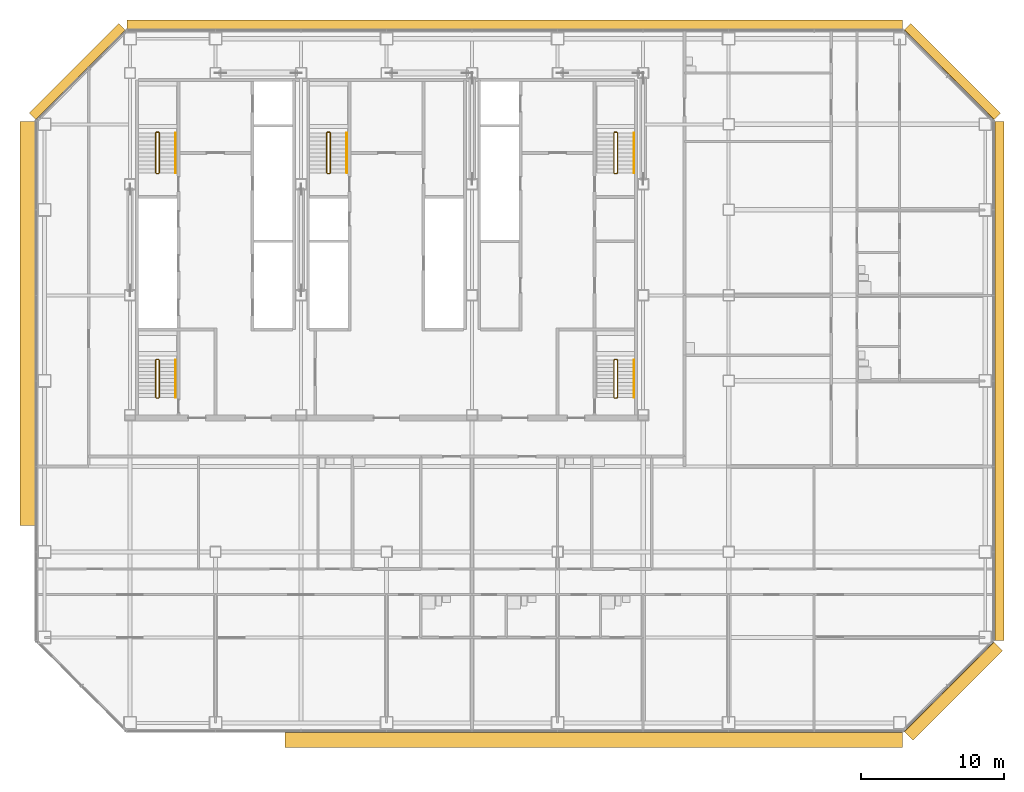
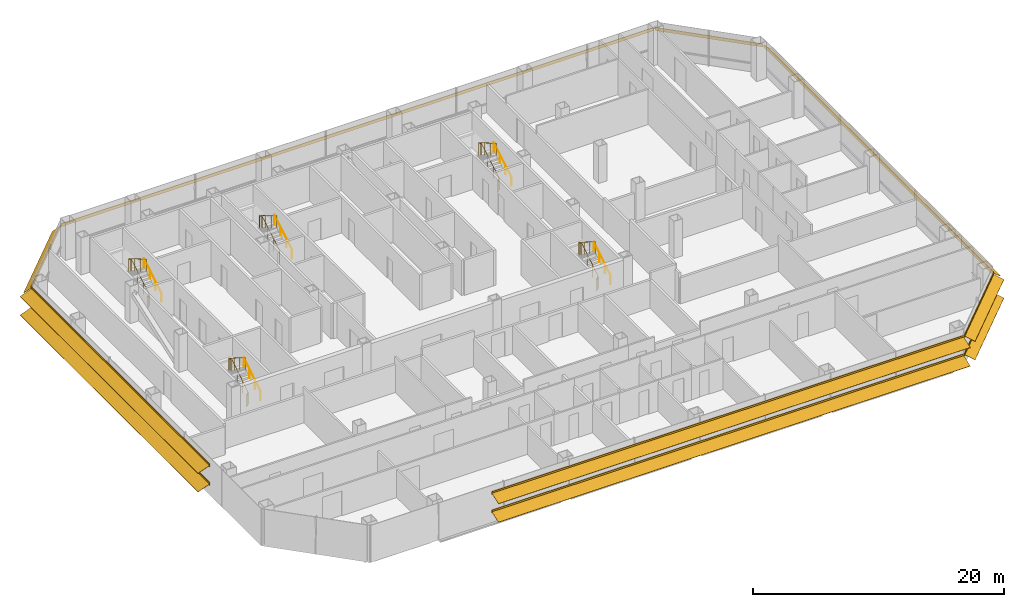
# One storey, part 25 of 26: 10 railings, 7 shading devices.
"""IFC4 building model written with IfcOpenShell, lengths in metres."""

from ifc_helpers import new_model, si_unit, direction, frame, origin, origin_2d, place, context, subcontext, project, spatial, polyline, circle, outline, composite_profile, extrude, material, type_object, element, save


model = new_model("IFC4")

# Units and contexts
model_context = context("Model", 3, precision=1e-05, world=origin(), true_north=direction((0.0, 1.0)))
body_context = subcontext(model_context, "Body", "Model", "MODEL_VIEW")
ifc_project = project(units=[si_unit("LENGTHUNIT", "METRE"), si_unit("AREAUNIT", "SQUARE_METRE"), si_unit("VOLUMEUNIT", "CUBIC_METRE"), si_unit("PLANEANGLEUNIT", "RADIAN"), si_unit("MASSUNIT", "GRAM", prefix="KILO")], contexts=[model_context])

# Site, building, storey
site_placement = place(None, origin())
site = spatial("IfcSite", under=ifc_project, at=site_placement, CompositionType="ELEMENT")
building_placement = place(site_placement, origin())
building = spatial("IfcBuilding", under=site, at=building_placement, Name="Sorahane Residences", CompositionType="ELEMENT")
storey_placement = place(building_placement, frame((0.0, 0.0, 64.199951171875)))
storey = spatial("IfcBuildingStorey", under=building, at=storey_placement, Name="L12", CompositionType="ELEMENT", Elevation=64.199951171875)

# Shading devices
ifc_material_1 = material(Name="Terracotta anodised aluminium", Category="masonry")
shading_device_type_1 = type_object("IfcShadingDeviceType", Name="Louvre sunshade blade E terracotta aluminium 700", PredefinedType="JALOUSIE", material=ifc_material_1)
shading_device_1_placement = place(storey_placement, frame((66.60009765625, 5.801513671875, 2.699951171875), z_axis=(0.0, 1.0, 0.0), x_axis=(-1.0, 0.0, 0.0)))
element("IfcShadingDevice", 1, at=shading_device_1_placement, inside=storey, type_object=shading_device_type_1, Name="Louvre sunshade blade bank E L12 E1", PredefinedType="JALOUSIE", context=body_context, shape_type="SweptSolid", body=[
    extrude(outline(polyline([(-0.719970703125, -0.49365234375), (-0.719970703125, -0.523681640625), (-0.080078125, -0.05859375), (-0.080078125, -0.14990234375), (-0.02001953125, -0.14990234375), (-0.02001953125, -0.014892578125), (-0.02001953125, 0.014892578125), (-0.02001953125, 0.14990234375), (-0.080078125, 0.14990234375), (-0.080078125, -0.028564453125), (-0.719970703125, -0.49365234375)])), origin(), (0.0, 0.0, 1.0), 36.39697265625),
])
ifc_material_2 = material(Name="Terracotta anodised aluminium", Category="masonry")
shading_device_type_2 = type_object("IfcShadingDeviceType", Name="Louvre sunshade blade N terracotta aluminium 700", PredefinedType="JALOUSIE", material=ifc_material_2)
shading_device_2_placement = place(storey_placement, frame((60.198486328125, 48.60009765625, 2.699951171875), z_axis=(-1.0, 0.0, 0.0), x_axis=(0.0, -1.0, 0.0)))
element("IfcShadingDevice", 2, at=shading_device_2_placement, inside=storey, type_object=shading_device_type_2, Name="Louvre sunshade blade bank N L12 N1", PredefinedType="JALOUSIE", context=body_context, shape_type="SweptSolid", body=[
    extrude(outline(polyline([(-0.719970703125, -0.660888671875), (-0.719970703125, -0.69091796875), (-0.080078125, -0.072998046875), (-0.080078125, -0.14990234375), (-0.02001953125, -0.14990234375), (-0.02001953125, -0.014892578125), (-0.02001953125, 0.014892578125), (-0.02001953125, 0.14990234375), (-0.080078125, 0.14990234375), (-0.080078125, -0.04296875), (-0.719970703125, -0.660888671875)])), origin(), (0.0, 0.0, 1.0), 54.39697265625),
])
ifc_material_3 = material(Name="Terracotta anodised aluminium", Category="masonry")
shading_device_type_3 = type_object("IfcShadingDeviceType", Name="Louvre sunshade blade NE terracotta aluminium 700", PredefinedType="JALOUSIE", material=ifc_material_3)
shading_device_3_placement = place(storey_placement, frame((66.564697265625, 42.283935546875, 2.699951171875), z_axis=(-0.707106781187, 0.707106781187, 0.0), x_axis=(-0.707106781187, -0.707106781187, 0.0)))
element("IfcShadingDevice", 3, at=shading_device_3_placement, inside=storey, type_object=shading_device_type_3, Name="Louvre sunshade blade bank NE L12 NE1", PredefinedType="JALOUSIE", context=body_context, shape_type="SweptSolid", body=[
    extrude(outline(polyline([(-0.719970703125, -0.572509765625), (-0.719970703125, -0.602294921875), (-0.080078125, -0.065185546875), (-0.080078125, -0.14990234375), (-0.02001953125, -0.14990234375), (-0.02001953125, -0.014892578125), (-0.02001953125, 0.014892578125), (-0.02001953125, 0.14990234375), (-0.080078125, 0.14990234375), (-0.080078125, -0.035400390625), (-0.719970703125, -0.572509765625)])), origin(), (0.0, 0.0, 1.0), 8.88232421875),
])
ifc_material_4 = material(Name="Terracotta anodised aluminium", Category="masonry")
shading_device_type_4 = type_object("IfcShadingDeviceType", Name="Louvre sunshade blade NW terracotta aluminium 700", PredefinedType="JALOUSIE", material=ifc_material_4)
shading_device_4_placement = place(storey_placement, frame((5.716064453125, 48.564697265625, 2.699951171875), z_axis=(-0.707106781187, -0.707106781187, 0.0), x_axis=(0.707106781187, -0.707106781187, 0.0)))
element("IfcShadingDevice", 4, at=shading_device_4_placement, inside=storey, type_object=shading_device_type_4, Name="Louvre sunshade blade bank NW L12 NW1", PredefinedType="JALOUSIE", context=body_context, shape_type="SweptSolid", body=[
    extrude(outline(polyline([(-0.719970703125, -0.660888671875), (-0.719970703125, -0.69091796875), (-0.080078125, -0.072998046875), (-0.080078125, -0.14990234375), (-0.02001953125, -0.14990234375), (-0.02001953125, -0.014892578125), (-0.02001953125, 0.014892578125), (-0.02001953125, 0.14990234375), (-0.080078125, 0.14990234375), (-0.080078125, -0.04296875), (-0.719970703125, -0.660888671875)])), origin(), (0.0, 0.0, 1.0), 8.88232421875),
])
ifc_material_5 = material(Name="Terracotta anodised aluminium", Category="masonry")
shading_device_type_5 = type_object("IfcShadingDeviceType", Name="Louvre sunshade blade S terracotta aluminium 1100", PredefinedType="JALOUSIE", material=ifc_material_5)
shading_device_5_placement = place(storey_placement, frame((16.869384765625, -0.60009765625, 0.900146484375), z_axis=(1.0, 0.0, 0.0), x_axis=(0.0, 1.0, 0.0)))
element("IfcShadingDevice", 5, at=shading_device_5_placement, inside=storey, type_object=shading_device_type_5, Name="Louvre sunshade blade bank S L12 S1", PredefinedType="JALOUSIE", context=body_context, shape_type="SweptSolid", body=[
    extrude(composite_profile([outline(polyline([(-1.1201171875, -0.385498046875), (-1.1201171875, -0.415283203125), (-0.080078125, -0.036865234375), (-0.080078125, -0.14990234375), (-0.02001953125, -0.14990234375), (-0.02001953125, -0.014892578125), (-0.02001953125, 0.014892578125), (-0.02001953125, 0.14990234375), (-0.080078125, 0.14990234375), (-0.080078125, -0.0068359375), (-1.1201171875, -0.385498046875)])), outline(polyline([(-1.1201171875, 1.41455078125), (-1.1201171875, 1.384521484375), (-0.080078125, 1.76318359375), (-0.080078125, 1.64990234375), (-0.02001953125, 1.64990234375), (-0.02001953125, 1.784912109375), (-0.02001953125, 1.81494140625), (-0.02001953125, 1.949951171875), (-0.080078125, 1.949951171875), (-0.080078125, 1.793212890625), (-1.1201171875, 1.41455078125)]))]), origin(), (0.0, 0.0, 1.0), 43.3291015625),
])
ifc_material_6 = material(Name="Terracotta anodised aluminium", Category="masonry")
shading_device_type_6 = type_object("IfcShadingDeviceType", Name="Louvre sunshade blade SE terracotta aluminium 900", PredefinedType="JALOUSIE", material=ifc_material_6)
shading_device_6_placement = place(storey_placement, frame((60.283935546875, -0.564697265625, 0.900146484375), z_axis=(0.707106781187, 0.707106781187, 0.0), x_axis=(-0.707106781187, 0.707106781187, 0.0)))
element("IfcShadingDevice", 6, at=shading_device_6_placement, inside=storey, type_object=shading_device_type_6, Name="Louvre sunshade blade bank SE L12 SE1", PredefinedType="JALOUSIE", context=body_context, shape_type="SweptSolid", body=[
    extrude(composite_profile([outline(polyline([(-0.919921875, -0.3486328125), (-0.919921875, -0.378662109375), (-0.080078125, -0.039306640625), (-0.080078125, -0.14990234375), (-0.02001953125, -0.14990234375), (-0.02001953125, -0.014892578125), (-0.02001953125, 0.014892578125), (-0.02001953125, 0.14990234375), (-0.080078125, 0.14990234375), (-0.080078125, -0.00927734375), (-0.919921875, -0.3486328125)])), outline(polyline([(-0.919921875, 1.451416015625), (-0.919921875, 1.42138671875), (-0.080078125, 1.7607421875), (-0.080078125, 1.64990234375), (-0.02001953125, 1.64990234375), (-0.02001953125, 1.784912109375), (-0.02001953125, 1.81494140625), (-0.02001953125, 1.949951171875), (-0.080078125, 1.949951171875), (-0.080078125, 1.790771484375), (-0.919921875, 1.451416015625)]))]), origin(), (0.0, 0.0, 1.0), 8.88232421875),
])
ifc_material_7 = material(Name="Terracotta anodised aluminium", Category="masonry")
shading_device_type_7 = type_object("IfcShadingDeviceType", Name="Louvre sunshade blade W terracotta aluminium 1100", PredefinedType="JALOUSIE", material=ifc_material_7)
shading_device_7_placement = place(storey_placement, frame((-0.60009765625, 42.198486328125, 0.900146484375), z_axis=(0.0, -1.0, 0.0), x_axis=(1.0, 0.0, 0.0)))
element("IfcShadingDevice", 7, at=shading_device_7_placement, inside=storey, type_object=shading_device_type_7, Name="Louvre sunshade blade bank W L12 W1", PredefinedType="JALOUSIE", context=body_context, shape_type="SweptSolid", body=[
    extrude(composite_profile([outline(polyline([(-1.1201171875, -0.385498046875), (-1.1201171875, -0.415283203125), (-0.080078125, -0.036865234375), (-0.080078125, -0.14990234375), (-0.02001953125, -0.14990234375), (-0.02001953125, -0.014892578125), (-0.02001953125, 0.014892578125), (-0.02001953125, 0.14990234375), (-0.080078125, 0.14990234375), (-0.080078125, -0.0068359375), (-1.1201171875, -0.385498046875)])), outline(polyline([(-1.1201171875, 1.41455078125), (-1.1201171875, 1.384521484375), (-0.080078125, 1.76318359375), (-0.080078125, 1.64990234375), (-0.02001953125, 1.64990234375), (-0.02001953125, 1.784912109375), (-0.02001953125, 1.81494140625), (-0.02001953125, 1.949951171875), (-0.080078125, 1.949951171875), (-0.080078125, 1.793212890625), (-1.1201171875, 1.41455078125)]))]), origin(), (0.0, 0.0, 1.0), 28.3291015625),
])

# Railings
ifc_material_8 = material(Name="Steel Q355B", Category="steel")
railing_type_1 = type_object("IfcRailingType", Name="Stair guard 1200 Steel Q355B", PredefinedType="GUARDRAIL", material=ifc_material_8)
railing_1_placement = place(storey_placement, frame((7.85009765625, 38.550048828125, 0.0)))
element("IfcRailing", 8, at=railing_1_placement, inside=storey, type_object=railing_type_1, Name="L12 S1 stair guard 1", PredefinedType="GUARDRAIL", context=body_context, shape_type="SweptSolid", body=[
    extrude(circle(Radius=0.02392578125, at=origin_2d()), frame((0.0, 0.0, 1.17578125), z_axis=(1.0, 0.0, 0.0), x_axis=(0.0, 1.0, 0.0)), (0.0, 0.0, 1.0), 0.14990234375),
    extrude(circle(Radius=0.02392578125, at=origin_2d()), frame((0.14990234375, 0.0, 1.17578125), z_axis=(0.280808744504, 0.280808744504, 0.917765164963), x_axis=(-0.707106781187, 0.707106781187, 0.0)), (0.0, 0.0, 1.0), 0.17822265625),
    extrude(circle(Radius=0.02392578125, at=origin_2d()), frame((0.199951171875, 0.050048828125, 1.33935546875), z_axis=(0.0, 0.863341702679, 0.504619762213), x_axis=(-1.0, 0.0, 0.0)), (0.0, 0.0, 1.0), 3.242919921875),
    extrude(circle(Radius=0.02392578125, at=origin_2d()), frame((0.199951171875, 2.849853515625, 2.97607421875), z_axis=(-0.707106781187, 0.707106781187, 0.0), x_axis=(-0.707106781187, -0.707106781187, 0.0)), (0.0, 0.0, 1.0), 0.07080078125),
    extrude(circle(Radius=0.02392578125, at=origin_2d()), frame((0.14990234375, 2.89990234375, 2.97607421875), z_axis=(-1.0, 0.0, 0.0), x_axis=(0.0, -1.0, 0.0)), (0.0, 0.0, 1.0), 0.14990234375),
    extrude(circle(Radius=0.02392578125, at=origin_2d()), frame((0.0, 2.89990234375, 2.97607421875), z_axis=(-0.280808744504, -0.280808744504, 0.917765164963), x_axis=(0.707106781187, -0.707106781187, 0.0)), (0.0, 0.0, 1.0), 0.17822265625),
    extrude(circle(Radius=0.02392578125, at=origin_2d()), frame((-0.050048828125, 2.849853515625, 3.1396484375), z_axis=(0.0, -0.863341702679, 0.504619762213), x_axis=(1.0, 0.0, 0.0)), (0.0, 0.0, 1.0), 3.242919921875),
    extrude(circle(Radius=0.02099609375, at=origin_2d()), origin(), (0.0, 0.0, 1.0), 1.15185546875),
    extrude(circle(Radius=0.02099609375, at=origin_2d()), frame((0.14990234375, 0.0, 0.0)), (0.0, 0.0, 1.0), 1.15185546875),
    extrude(circle(Radius=0.02099609375, at=origin_2d()), frame((0.199951171875, 0.050048828125, 0.16357421875)), (0.0, 0.0, 1.0), 1.15185546875),
    extrude(circle(Radius=0.02099609375, at=origin_2d()), frame((0.199951171875, 0.9833984375, 0.708984375)), (0.0, 0.0, 1.0), 1.15185546875),
    extrude(circle(Radius=0.02099609375, at=origin_2d()), frame((0.199951171875, 1.91650390625, 1.254638671875)), (0.0, 0.0, 1.0), 1.15185546875),
    extrude(circle(Radius=0.02099609375, at=origin_2d()), frame((0.199951171875, 2.849853515625, 1.800048828125)), (0.0, 0.0, 1.0), 1.15185546875),
    extrude(circle(Radius=0.02099609375, at=origin_2d()), frame((0.14990234375, 2.89990234375, 1.800048828125)), (0.0, 0.0, 1.0), 1.15185546875),
    extrude(circle(Radius=0.02099609375, at=origin_2d()), frame((0.0, 2.89990234375, 1.800048828125)), (0.0, 0.0, 1.0), 1.15185546875),
    extrude(circle(Radius=0.02099609375, at=origin_2d()), frame((-0.050048828125, 2.849853515625, 1.963623046875)), (0.0, 0.0, 1.0), 1.15185546875),
    extrude(circle(Radius=0.02099609375, at=origin_2d()), frame((-0.050048828125, 1.91650390625, 2.509033203125)), (0.0, 0.0, 1.0), 1.15185546875),
    extrude(circle(Radius=0.02099609375, at=origin_2d()), frame((-0.050048828125, 0.9833984375, 3.0546875)), (0.0, 0.0, 1.0), 1.15185546875),
    extrude(circle(Radius=0.02099609375, at=origin_2d()), frame((-0.050048828125, 0.050048828125, 3.60009765625)), (0.0, 0.0, 1.0), 1.15185546875),
])
railing_2_placement = place(storey_placement, frame((40.0, 38.550048828125, 0.0)))
element("IfcRailing", 9, at=railing_2_placement, inside=storey, type_object=railing_type_1, Name="L12 S2 stair guard 1", PredefinedType="GUARDRAIL", context=body_context, shape_type="SweptSolid", body=[
    extrude(circle(Radius=0.02392578125, at=origin_2d()), frame((0.0, 0.0, 1.17578125), z_axis=(1.0, 0.0, 0.0), x_axis=(0.0, 1.0, 0.0)), (0.0, 0.0, 1.0), 0.14990234375),
    extrude(circle(Radius=0.02392578125, at=origin_2d()), frame((0.14990234375, 0.0, 1.17578125), z_axis=(0.280808744504, 0.280808744504, 0.917765164963), x_axis=(-0.707106781187, 0.707106781187, 0.0)), (0.0, 0.0, 1.0), 0.17822265625),
    extrude(circle(Radius=0.02392578125, at=origin_2d()), frame((0.199951171875, 0.050048828125, 1.33935546875), z_axis=(0.0, 0.863341702679, 0.504619762213), x_axis=(-1.0, 0.0, 0.0)), (0.0, 0.0, 1.0), 3.242919921875),
    extrude(circle(Radius=0.02392578125, at=origin_2d()), frame((0.199951171875, 2.849853515625, 2.97607421875), z_axis=(-0.707106781187, 0.707106781187, 0.0), x_axis=(-0.707106781187, -0.707106781187, 0.0)), (0.0, 0.0, 1.0), 0.07080078125),
    extrude(circle(Radius=0.02392578125, at=origin_2d()), frame((0.14990234375, 2.89990234375, 2.97607421875), z_axis=(-1.0, 0.0, 0.0), x_axis=(0.0, -1.0, 0.0)), (0.0, 0.0, 1.0), 0.14990234375),
    extrude(circle(Radius=0.02392578125, at=origin_2d()), frame((0.0, 2.89990234375, 2.97607421875), z_axis=(-0.280808744504, -0.280808744504, 0.917765164963), x_axis=(0.707106781187, -0.707106781187, 0.0)), (0.0, 0.0, 1.0), 0.17822265625),
    extrude(circle(Radius=0.02392578125, at=origin_2d()), frame((-0.050048828125, 2.849853515625, 3.1396484375), z_axis=(0.0, -0.863341702679, 0.504619762213), x_axis=(1.0, 0.0, 0.0)), (0.0, 0.0, 1.0), 3.242919921875),
    extrude(circle(Radius=0.02099609375, at=origin_2d()), origin(), (0.0, 0.0, 1.0), 1.15185546875),
    extrude(circle(Radius=0.02099609375, at=origin_2d()), frame((0.14990234375, 0.0, 0.0)), (0.0, 0.0, 1.0), 1.15185546875),
    extrude(circle(Radius=0.02099609375, at=origin_2d()), frame((0.199951171875, 0.050048828125, 0.16357421875)), (0.0, 0.0, 1.0), 1.15185546875),
    extrude(circle(Radius=0.02099609375, at=origin_2d()), frame((0.199951171875, 0.9833984375, 0.708984375)), (0.0, 0.0, 1.0), 1.15185546875),
    extrude(circle(Radius=0.02099609375, at=origin_2d()), frame((0.199951171875, 1.91650390625, 1.254638671875)), (0.0, 0.0, 1.0), 1.15185546875),
    extrude(circle(Radius=0.02099609375, at=origin_2d()), frame((0.199951171875, 2.849853515625, 1.800048828125)), (0.0, 0.0, 1.0), 1.15185546875),
    extrude(circle(Radius=0.02099609375, at=origin_2d()), frame((0.14990234375, 2.89990234375, 1.800048828125)), (0.0, 0.0, 1.0), 1.15185546875),
    extrude(circle(Radius=0.02099609375, at=origin_2d()), frame((0.0, 2.89990234375, 1.800048828125)), (0.0, 0.0, 1.0), 1.15185546875),
    extrude(circle(Radius=0.02099609375, at=origin_2d()), frame((-0.050048828125, 2.849853515625, 1.963623046875)), (0.0, 0.0, 1.0), 1.15185546875),
    extrude(circle(Radius=0.02099609375, at=origin_2d()), frame((-0.050048828125, 1.91650390625, 2.509033203125)), (0.0, 0.0, 1.0), 1.15185546875),
    extrude(circle(Radius=0.02099609375, at=origin_2d()), frame((-0.050048828125, 0.9833984375, 3.0546875)), (0.0, 0.0, 1.0), 1.15185546875),
    extrude(circle(Radius=0.02099609375, at=origin_2d()), frame((-0.050048828125, 0.050048828125, 3.60009765625)), (0.0, 0.0, 1.0), 1.15185546875),
])
railing_3_placement = place(storey_placement, frame((19.85009765625, 38.550048828125, 0.0)))
element("IfcRailing", 10, at=railing_3_placement, inside=storey, type_object=railing_type_1, Name="L12 S3 stair guard 1", PredefinedType="GUARDRAIL", context=body_context, shape_type="SweptSolid", body=[
    extrude(circle(Radius=0.02392578125, at=origin_2d()), frame((0.0, 0.0, 1.17578125), z_axis=(1.0, 0.0, 0.0), x_axis=(0.0, 1.0, 0.0)), (0.0, 0.0, 1.0), 0.14990234375),
    extrude(circle(Radius=0.02392578125, at=origin_2d()), frame((0.14990234375, 0.0, 1.17578125), z_axis=(0.280808744504, 0.280808744504, 0.917765164963), x_axis=(-0.707106781187, 0.707106781187, 0.0)), (0.0, 0.0, 1.0), 0.17822265625),
    extrude(circle(Radius=0.02392578125, at=origin_2d()), frame((0.199951171875, 0.050048828125, 1.33935546875), z_axis=(0.0, 0.863341702679, 0.504619762213), x_axis=(-1.0, 0.0, 0.0)), (0.0, 0.0, 1.0), 3.242919921875),
    extrude(circle(Radius=0.02392578125, at=origin_2d()), frame((0.199951171875, 2.849853515625, 2.97607421875), z_axis=(-0.707106781187, 0.707106781187, 0.0), x_axis=(-0.707106781187, -0.707106781187, 0.0)), (0.0, 0.0, 1.0), 0.07080078125),
    extrude(circle(Radius=0.02392578125, at=origin_2d()), frame((0.14990234375, 2.89990234375, 2.97607421875), z_axis=(-1.0, 0.0, 0.0), x_axis=(0.0, -1.0, 0.0)), (0.0, 0.0, 1.0), 0.14990234375),
    extrude(circle(Radius=0.02392578125, at=origin_2d()), frame((0.0, 2.89990234375, 2.97607421875), z_axis=(-0.280808744504, -0.280808744504, 0.917765164963), x_axis=(0.707106781187, -0.707106781187, 0.0)), (0.0, 0.0, 1.0), 0.17822265625),
    extrude(circle(Radius=0.02392578125, at=origin_2d()), frame((-0.050048828125, 2.849853515625, 3.1396484375), z_axis=(0.0, -0.863341702679, 0.504619762213), x_axis=(1.0, 0.0, 0.0)), (0.0, 0.0, 1.0), 3.242919921875),
    extrude(circle(Radius=0.02099609375, at=origin_2d()), origin(), (0.0, 0.0, 1.0), 1.15185546875),
    extrude(circle(Radius=0.02099609375, at=origin_2d()), frame((0.14990234375, 0.0, 0.0)), (0.0, 0.0, 1.0), 1.15185546875),
    extrude(circle(Radius=0.02099609375, at=origin_2d()), frame((0.199951171875, 0.050048828125, 0.16357421875)), (0.0, 0.0, 1.0), 1.15185546875),
    extrude(circle(Radius=0.02099609375, at=origin_2d()), frame((0.199951171875, 0.9833984375, 0.708984375)), (0.0, 0.0, 1.0), 1.15185546875),
    extrude(circle(Radius=0.02099609375, at=origin_2d()), frame((0.199951171875, 1.91650390625, 1.254638671875)), (0.0, 0.0, 1.0), 1.15185546875),
    extrude(circle(Radius=0.02099609375, at=origin_2d()), frame((0.199951171875, 2.849853515625, 1.800048828125)), (0.0, 0.0, 1.0), 1.15185546875),
    extrude(circle(Radius=0.02099609375, at=origin_2d()), frame((0.14990234375, 2.89990234375, 1.800048828125)), (0.0, 0.0, 1.0), 1.15185546875),
    extrude(circle(Radius=0.02099609375, at=origin_2d()), frame((0.0, 2.89990234375, 1.800048828125)), (0.0, 0.0, 1.0), 1.15185546875),
    extrude(circle(Radius=0.02099609375, at=origin_2d()), frame((-0.050048828125, 2.849853515625, 1.963623046875)), (0.0, 0.0, 1.0), 1.15185546875),
    extrude(circle(Radius=0.02099609375, at=origin_2d()), frame((-0.050048828125, 1.91650390625, 2.509033203125)), (0.0, 0.0, 1.0), 1.15185546875),
    extrude(circle(Radius=0.02099609375, at=origin_2d()), frame((-0.050048828125, 0.9833984375, 3.0546875)), (0.0, 0.0, 1.0), 1.15185546875),
    extrude(circle(Radius=0.02099609375, at=origin_2d()), frame((-0.050048828125, 0.050048828125, 3.60009765625)), (0.0, 0.0, 1.0), 1.15185546875),
])
railing_4_placement = place(storey_placement, frame((7.85009765625, 22.800048828125, 0.0)))
element("IfcRailing", 11, at=railing_4_placement, inside=storey, type_object=railing_type_1, Name="L12 S4 stair guard 1", PredefinedType="GUARDRAIL", context=body_context, shape_type="SweptSolid", body=[
    extrude(circle(Radius=0.02392578125, at=origin_2d()), frame((0.0, 0.0, 1.17578125), z_axis=(1.0, 0.0, 0.0), x_axis=(0.0, 1.0, 0.0)), (0.0, 0.0, 1.0), 0.14990234375),
    extrude(circle(Radius=0.02392578125, at=origin_2d()), frame((0.14990234375, 0.0, 1.17578125), z_axis=(0.280808744504, 0.280808744504, 0.917765164963), x_axis=(-0.707106781187, 0.707106781187, 0.0)), (0.0, 0.0, 1.0), 0.17822265625),
    extrude(circle(Radius=0.02392578125, at=origin_2d()), frame((0.199951171875, 0.050048828125, 1.33935546875), z_axis=(0.0, 0.846301844409, 0.532703658848), x_axis=(-1.0, 0.0, 0.0)), (0.0, 0.0, 1.0), 3.072021484375),
    extrude(circle(Radius=0.02392578125, at=origin_2d()), frame((0.199951171875, 2.64990234375, 2.97607421875), z_axis=(-0.707106781187, 0.707106781187, 0.0), x_axis=(-0.707106781187, -0.707106781187, 0.0)), (0.0, 0.0, 1.0), 0.07080078125),
    extrude(circle(Radius=0.02392578125, at=origin_2d()), frame((0.14990234375, 2.699951171875, 2.97607421875), z_axis=(-1.0, 0.0, 0.0), x_axis=(0.0, -1.0, 0.0)), (0.0, 0.0, 1.0), 0.14990234375),
    extrude(circle(Radius=0.02392578125, at=origin_2d()), frame((0.0, 2.699951171875, 2.97607421875), z_axis=(-0.280808744504, -0.280808744504, 0.917765164963), x_axis=(0.707106781187, -0.707106781187, 0.0)), (0.0, 0.0, 1.0), 0.17822265625),
    extrude(circle(Radius=0.02392578125, at=origin_2d()), frame((-0.050048828125, 2.64990234375, 3.1396484375), z_axis=(0.0, -0.846301844409, 0.532703658848), x_axis=(1.0, 0.0, 0.0)), (0.0, 0.0, 1.0), 3.072021484375),
    extrude(circle(Radius=0.02099609375, at=origin_2d()), origin(), (0.0, 0.0, 1.0), 1.15185546875),
    extrude(circle(Radius=0.02099609375, at=origin_2d()), frame((0.14990234375, 0.0, 0.0)), (0.0, 0.0, 1.0), 1.15185546875),
    extrude(circle(Radius=0.02099609375, at=origin_2d()), frame((0.199951171875, 0.050048828125, 0.16357421875)), (0.0, 0.0, 1.0), 1.15185546875),
    extrude(circle(Radius=0.02099609375, at=origin_2d()), frame((0.199951171875, 0.916748046875, 0.708984375)), (0.0, 0.0, 1.0), 1.15185546875),
    extrude(circle(Radius=0.02099609375, at=origin_2d()), frame((0.199951171875, 1.783203125, 1.254638671875)), (0.0, 0.0, 1.0), 1.15185546875),
    extrude(circle(Radius=0.02099609375, at=origin_2d()), frame((0.199951171875, 2.64990234375, 1.800048828125)), (0.0, 0.0, 1.0), 1.15185546875),
    extrude(circle(Radius=0.02099609375, at=origin_2d()), frame((0.14990234375, 2.699951171875, 1.800048828125)), (0.0, 0.0, 1.0), 1.15185546875),
    extrude(circle(Radius=0.02099609375, at=origin_2d()), frame((0.0, 2.699951171875, 1.800048828125)), (0.0, 0.0, 1.0), 1.15185546875),
    extrude(circle(Radius=0.02099609375, at=origin_2d()), frame((-0.050048828125, 2.64990234375, 1.963623046875)), (0.0, 0.0, 1.0), 1.15185546875),
    extrude(circle(Radius=0.02099609375, at=origin_2d()), frame((-0.050048828125, 1.783203125, 2.509033203125)), (0.0, 0.0, 1.0), 1.15185546875),
    extrude(circle(Radius=0.02099609375, at=origin_2d()), frame((-0.050048828125, 0.916748046875, 3.0546875)), (0.0, 0.0, 1.0), 1.15185546875),
    extrude(circle(Radius=0.02099609375, at=origin_2d()), frame((-0.050048828125, 0.050048828125, 3.60009765625)), (0.0, 0.0, 1.0), 1.15185546875),
])
railing_5_placement = place(storey_placement, frame((40.0, 22.800048828125, 0.0)))
element("IfcRailing", 12, at=railing_5_placement, inside=storey, type_object=railing_type_1, Name="L12 S5 stair guard 1", PredefinedType="GUARDRAIL", context=body_context, shape_type="SweptSolid", body=[
    extrude(circle(Radius=0.02392578125, at=origin_2d()), frame((0.0, 0.0, 1.17578125), z_axis=(1.0, 0.0, 0.0), x_axis=(0.0, 1.0, 0.0)), (0.0, 0.0, 1.0), 0.14990234375),
    extrude(circle(Radius=0.02392578125, at=origin_2d()), frame((0.14990234375, 0.0, 1.17578125), z_axis=(0.280808744504, 0.280808744504, 0.917765164963), x_axis=(-0.707106781187, 0.707106781187, 0.0)), (0.0, 0.0, 1.0), 0.17822265625),
    extrude(circle(Radius=0.02392578125, at=origin_2d()), frame((0.199951171875, 0.050048828125, 1.33935546875), z_axis=(0.0, 0.846301844409, 0.532703658848), x_axis=(-1.0, 0.0, 0.0)), (0.0, 0.0, 1.0), 3.072021484375),
    extrude(circle(Radius=0.02392578125, at=origin_2d()), frame((0.199951171875, 2.64990234375, 2.97607421875), z_axis=(-0.707106781187, 0.707106781187, 0.0), x_axis=(-0.707106781187, -0.707106781187, 0.0)), (0.0, 0.0, 1.0), 0.07080078125),
    extrude(circle(Radius=0.02392578125, at=origin_2d()), frame((0.14990234375, 2.699951171875, 2.97607421875), z_axis=(-1.0, 0.0, 0.0), x_axis=(0.0, -1.0, 0.0)), (0.0, 0.0, 1.0), 0.14990234375),
    extrude(circle(Radius=0.02392578125, at=origin_2d()), frame((0.0, 2.699951171875, 2.97607421875), z_axis=(-0.280808744504, -0.280808744504, 0.917765164963), x_axis=(0.707106781187, -0.707106781187, 0.0)), (0.0, 0.0, 1.0), 0.17822265625),
    extrude(circle(Radius=0.02392578125, at=origin_2d()), frame((-0.050048828125, 2.64990234375, 3.1396484375), z_axis=(0.0, -0.846301844409, 0.532703658848), x_axis=(1.0, 0.0, 0.0)), (0.0, 0.0, 1.0), 3.072021484375),
    extrude(circle(Radius=0.02099609375, at=origin_2d()), origin(), (0.0, 0.0, 1.0), 1.15185546875),
    extrude(circle(Radius=0.02099609375, at=origin_2d()), frame((0.14990234375, 0.0, 0.0)), (0.0, 0.0, 1.0), 1.15185546875),
    extrude(circle(Radius=0.02099609375, at=origin_2d()), frame((0.199951171875, 0.050048828125, 0.16357421875)), (0.0, 0.0, 1.0), 1.15185546875),
    extrude(circle(Radius=0.02099609375, at=origin_2d()), frame((0.199951171875, 0.916748046875, 0.708984375)), (0.0, 0.0, 1.0), 1.15185546875),
    extrude(circle(Radius=0.02099609375, at=origin_2d()), frame((0.199951171875, 1.783203125, 1.254638671875)), (0.0, 0.0, 1.0), 1.15185546875),
    extrude(circle(Radius=0.02099609375, at=origin_2d()), frame((0.199951171875, 2.64990234375, 1.800048828125)), (0.0, 0.0, 1.0), 1.15185546875),
    extrude(circle(Radius=0.02099609375, at=origin_2d()), frame((0.14990234375, 2.699951171875, 1.800048828125)), (0.0, 0.0, 1.0), 1.15185546875),
    extrude(circle(Radius=0.02099609375, at=origin_2d()), frame((0.0, 2.699951171875, 1.800048828125)), (0.0, 0.0, 1.0), 1.15185546875),
    extrude(circle(Radius=0.02099609375, at=origin_2d()), frame((-0.050048828125, 2.64990234375, 1.963623046875)), (0.0, 0.0, 1.0), 1.15185546875),
    extrude(circle(Radius=0.02099609375, at=origin_2d()), frame((-0.050048828125, 1.783203125, 2.509033203125)), (0.0, 0.0, 1.0), 1.15185546875),
    extrude(circle(Radius=0.02099609375, at=origin_2d()), frame((-0.050048828125, 0.916748046875, 3.0546875)), (0.0, 0.0, 1.0), 1.15185546875),
    extrude(circle(Radius=0.02099609375, at=origin_2d()), frame((-0.050048828125, 0.050048828125, 3.60009765625)), (0.0, 0.0, 1.0), 1.15185546875),
])
ifc_material_9 = material(Name="Steel Q355B", Category="steel")
railing_type_2 = type_object("IfcRailingType", Name="Stair handrail 900 Steel Q355B", PredefinedType="HANDRAIL", material=ifc_material_9)
for number, where, name in (
    (13, (9.199951171875, 38.60009765625, 0.16357421875), "L12 S1 stair handrail 1"),
    (14, (41.35009765625, 38.60009765625, 0.16357421875), "L12 S2 stair handrail 1"),
    (15, (21.199951171875, 38.60009765625, 0.16357421875), "L12 S3 stair handrail 1"),
):
    element("IfcRailing", number, at=place(storey_placement, frame(where)), inside=storey, type_object=railing_type_2, Name=name, PredefinedType="HANDRAIL", context=body_context, shape_type="SweptSolid", body=[
        extrude(circle(Radius=0.02392578125, at=origin_2d()), frame((0.0, 0.0, 0.8759765625), z_axis=(0.0, 0.863341702679, 0.504619762213), x_axis=(-1.0, 0.0, 0.0)), (0.0, 0.0, 1.0), 3.242919921875),
        extrude(circle(Radius=0.02099609375, at=origin_2d()), origin(), (0.0, 0.0, 1.0), 0.851806640625),
        extrude(circle(Radius=0.02099609375, at=origin_2d()), frame((0.0, 0.933349609375, 0.54541015625)), (0.0, 0.0, 1.0), 0.851806640625),
        extrude(circle(Radius=0.02099609375, at=origin_2d()), frame((0.0, 1.866455078125, 1.091064453125)), (0.0, 0.0, 1.0), 0.851806640625),
        extrude(circle(Radius=0.02099609375, at=origin_2d()), frame((0.0, 2.7998046875, 1.636474609375)), (0.0, 0.0, 1.0), 0.851806640625),
    ])
for number, where, name in (
    (16, (9.199951171875, 22.85009765625, 0.16357421875), "L12 S4 stair handrail 1"),
    (17, (41.35009765625, 22.85009765625, 0.16357421875), "L12 S5 stair handrail 1"),
):
    element("IfcRailing", number, at=place(storey_placement, frame(where)), inside=storey, type_object=railing_type_2, Name=name, PredefinedType="HANDRAIL", context=body_context, shape_type="SweptSolid", body=[
        extrude(circle(Radius=0.02392578125, at=origin_2d()), frame((0.0, 0.0, 0.8759765625), z_axis=(0.0, 0.846301844409, 0.532703658848), x_axis=(-1.0, 0.0, 0.0)), (0.0, 0.0, 1.0), 3.072021484375),
        extrude(circle(Radius=0.02099609375, at=origin_2d()), origin(), (0.0, 0.0, 1.0), 0.851806640625),
        extrude(circle(Radius=0.02099609375, at=origin_2d()), frame((0.0, 0.86669921875, 0.54541015625)), (0.0, 0.0, 1.0), 0.851806640625),
        extrude(circle(Radius=0.02099609375, at=origin_2d()), frame((0.0, 1.733154296875, 1.091064453125)), (0.0, 0.0, 1.0), 0.851806640625),
        extrude(circle(Radius=0.02099609375, at=origin_2d()), frame((0.0, 2.599853515625, 1.636474609375)), (0.0, 0.0, 1.0), 0.851806640625),
    ])

save(model, "model.ifc")
